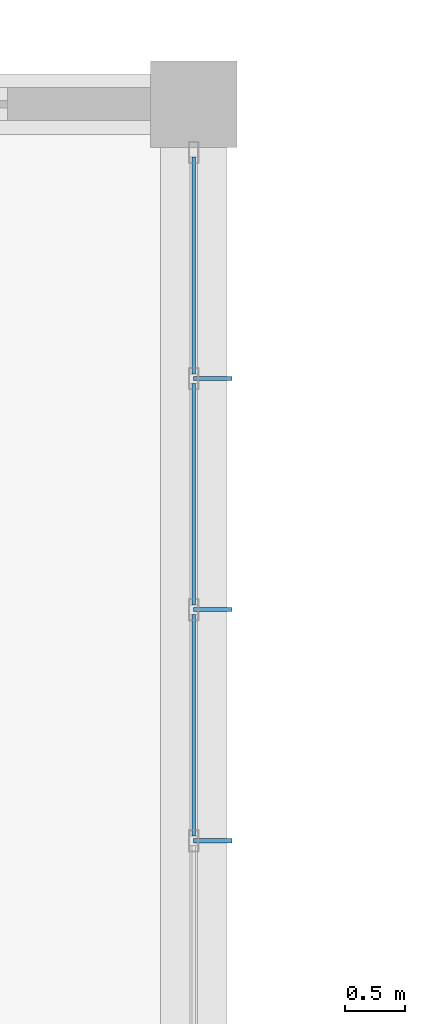
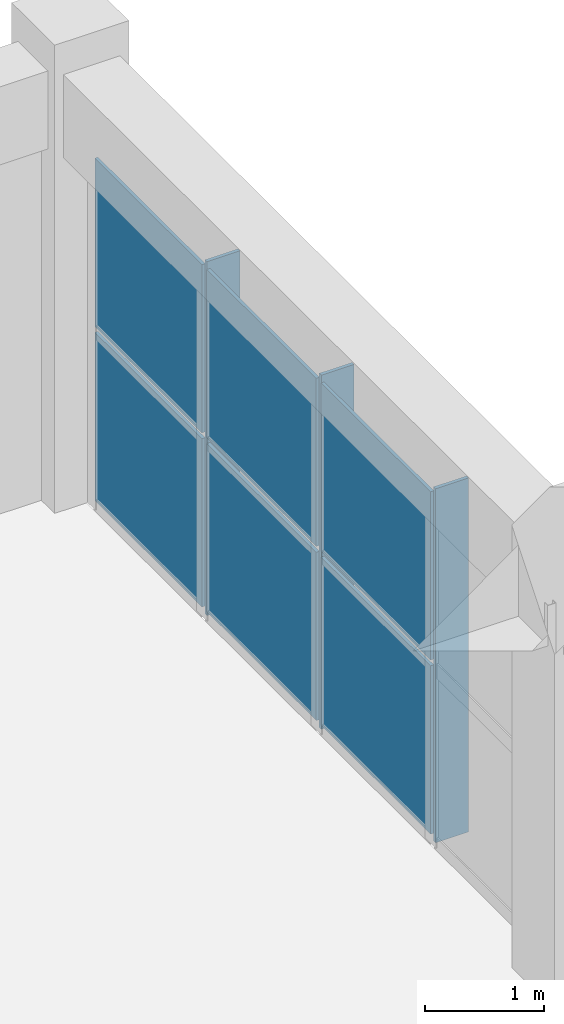
# One storey, part 120 of 139: 9 plates, 1 element without a shape of its own.
"""IFC4 building model written with IfcOpenShell, lengths in metres."""

import ifcopenshell
import ifcopenshell.guid

model = None  # the IFC model being written
_history = None  # IfcOwnerHistory: only IFC2X3 demands one
_inside = {}  # id of a spatial element -> (the spatial element, [elements in it])
_under = {}  # id of a project, library or spatial element -> (it, [spatial elements below it])
_declared = {}  # id of a project -> (the project, [libraries it declares])
_typed = {}  # id of a type object -> (the type object, [elements of that type])
_made_of = {}  # id of a material, layer set ... -> (it, [elements and type objects made of it])


def new_model(schema):
    """Start an empty IFC model of exactly this schema.

    Asked for "IFC4X3", IfcOpenShell would pick the latest addendum, in which some entities
    have other attributes; the version numbers below select the first issue.
    IFC2X3 requires an IfcOwnerHistory on every rooted entity: one is made here for all.
    """
    global model, _history
    if schema == "IFC4X3":
        model = ifcopenshell.file(schema_version=(4, 3, 0, 0))
    else:
        model = ifcopenshell.file(schema=schema)
    _inside.clear()
    _under.clear()
    _declared.clear()
    _typed.clear()
    _made_of.clear()
    _history = None
    if model.schema == "IFC2X3":
        org = make("IfcOrganization", Name="unknown")
        user = make(
            "IfcPersonAndOrganization",
            ThePerson=make("IfcPerson", FamilyName="unknown"),
            TheOrganization=org,
        )
        app = make(
            "IfcApplication",
            ApplicationDeveloper=org,
            Version="unknown",
            ApplicationFullName="unknown",
            ApplicationIdentifier="unknown",
        )
        _history = make(
            "IfcOwnerHistory",
            OwningUser=user,
            OwningApplication=app,
            ChangeAction="ADDED",
            CreationDate=0,
        )
    return model


def make(cls, **values):
    """One entity of the class cls with the attributes given. An attribute that is None is left unset."""
    return model.create_entity(
        cls, **{name: value for name, value in values.items() if value is not None}
    )


def rooted(cls, **values):
    """An entity with a GlobalId (a new one), such as an element, a storey or a relation."""
    return make(cls, GlobalId=ifcopenshell.guid.new(), OwnerHistory=_history, **values)


def si_unit(unit_type, name, prefix=None):
    """IfcSIUnit, for example si_unit("LENGTHUNIT", "METRE", prefix="MILLI")."""
    return make("IfcSIUnit", UnitType=unit_type, Prefix=prefix, Name=name)


def assignment(units):
    """IfcUnitAssignment: the units of a project."""
    return None if units is None else make("IfcUnitAssignment", Units=units)


def point(xyz):
    """IfcCartesianPoint."""
    return None if xyz is None else make("IfcCartesianPoint", Coordinates=xyz)


def direction(xyz):
    """IfcDirection."""
    return None if xyz is None else make("IfcDirection", DirectionRatios=xyz)


def frame(location, z_axis=None, x_axis=None):
    """IfcAxis2Placement3D, a coordinate frame: its origin and axes. An axis left out is left unset."""
    return make(
        "IfcAxis2Placement3D",
        Location=point(location),
        Axis=direction(z_axis),
        RefDirection=direction(x_axis),
    )


def frame_2d(location, x_axis=None):
    """IfcAxis2Placement2D, a coordinate frame in the plane: its origin and x axis."""
    return make(
        "IfcAxis2Placement2D", Location=point(location), RefDirection=direction(x_axis)
    )


def origin():
    """The frame at (0, 0, 0) with its axes left unset."""
    return frame((0.0, 0.0, 0.0))


def origin_2d():
    """The frame at (0, 0) in the plane with its x axis left unset."""
    return frame_2d((0.0, 0.0))


def place(relative_to, where):
    """IfcLocalPlacement: puts the frame where relative to a parent placement (None: the world)."""
    return make(
        "IfcLocalPlacement", PlacementRelTo=relative_to, RelativePlacement=where
    )


def context(
    kind, dimensions, precision=None, world=None, true_north=None, identifier=None
):
    """IfcGeometricRepresentationContext, for example the 3D "Model" context."""
    return make(
        "IfcGeometricRepresentationContext",
        ContextIdentifier=identifier,
        ContextType=kind,
        CoordinateSpaceDimension=dimensions,
        Precision=precision,
        WorldCoordinateSystem=world,
        TrueNorth=true_north,
    )


def subcontext(parent, identifier, kind, view, scale=None):
    """IfcGeometricRepresentationSubContext, for example "Body" below "Model"."""
    return make(
        "IfcGeometricRepresentationSubContext",
        ContextIdentifier=identifier,
        ContextType=kind,
        ParentContext=parent,
        TargetScale=scale,
        TargetView=view,
    )


def project(units=None, contexts=None):
    """IfcProject with its units and contexts."""
    return rooted(
        "IfcProject",
        Name="project",
        RepresentationContexts=contexts,
        UnitsInContext=assignment(units),
    )


def spatial(cls, under=None, at=None, **own):
    """A site, building, storey or space (cls), placed at a placement, below another one or the project."""
    s = rooted(cls, ObjectPlacement=at, **own)
    if under is not None:
        _under.setdefault(under.id(), (under, []))[1].append(s)
    return s


def polyline(points):
    """IfcPolyline through the points."""
    return make("IfcPolyline", Points=[point(p) for p in points])


def profile(cls, at=None, kind="AREA", **sizes):
    """A parametric profile (cls). Its sizes go by their IFC names, for example OverallWidth=200.0."""
    return make(cls, ProfileType=kind, Position=at, **sizes)


def rectangle(**sizes):
    """IfcRectangleProfileDef."""
    return profile("IfcRectangleProfileDef", **sizes)


def outline(outer, holes=None, kind="AREA"):
    """IfcArbitraryClosedProfileDef: a profile drawn as a closed curve; with holes, ...WithVoids."""
    if holes is None:
        return make("IfcArbitraryClosedProfileDef", ProfileType=kind, OuterCurve=outer)
    return make(
        "IfcArbitraryProfileDefWithVoids",
        ProfileType=kind,
        OuterCurve=outer,
        InnerCurves=holes,
    )


def extrude(swept, where, along, depth):
    """IfcExtrudedAreaSolid: the profile swept, set in the frame where, extruded along a direction by depth."""
    return make(
        "IfcExtrudedAreaSolid",
        SweptArea=swept,
        Position=where,
        ExtrudedDirection=direction(along),
        Depth=depth,
    )


def shape(context_of_items, identifier, shape_type, items):
    """IfcShapeRepresentation: the items that make up one representation, for example the "Body"."""
    return make(
        "IfcShapeRepresentation",
        ContextOfItems=context_of_items,
        RepresentationIdentifier=identifier,
        RepresentationType=shape_type,
        Items=items,
    )


def material(Name=None, Category=None):
    """IfcMaterial."""
    return make("IfcMaterial", Name=Name, Category=Category)


def layer(
    of_material, thickness, ventilated=None, Name=None, Category=None, Priority=None
):
    """IfcMaterialLayer: one layer of a wall or slab, of a material (None: an air gap)."""
    return make(
        "IfcMaterialLayer",
        Material=of_material,
        LayerThickness=thickness,
        IsVentilated=ventilated,
        Name=Name,
        Category=Category,
        Priority=Priority,
    )


def layer_set(layers, Name=None):
    """IfcMaterialLayerSet."""
    return make("IfcMaterialLayerSet", MaterialLayers=layers, LayerSetName=Name)


def made_of(thing, what):
    """Note that an element or type object is made of a material, layer set ...; save() writes the relation."""
    if what is not None:
        _made_of.setdefault(what.id(), (what, []))[1].append(thing)
    return thing


def type_object(cls, material=None, **own):
    """A type object (cls), such as IfcWallType, which elements share."""
    return made_of(rooted(cls, **own), material)


def element(
    cls,
    number,
    at=None,
    inside=None,
    cuts=None,
    type_object=None,
    material=None,
    context=None,
    identifier="Body",
    shape_type=None,
    held_by="IfcProductDefinitionShape",
    body=None,
    shapes=None,
    **own,
):
    """One element of the class cls, such as IfcWall. Its Tag is "e" and its number.

    at: its placement. inside: the storey or other place that contains it. cuts: it is an
    opening in that element (IfcRelVoidsElement). A single representation is given by context,
    identifier, shape_type and body (its items); several are given by shapes. held_by: the class
    of the entity that holds the representations. save() writes the other relations.
    """
    e = rooted(cls, Tag="e%d" % number, ObjectPlacement=at, **own)
    if body is not None:
        shapes = [shape(context, identifier, shape_type, body)]
    if shapes is not None:
        e.Representation = make(held_by, Representations=shapes)
    if inside is not None:
        _inside.setdefault(inside.id(), (inside, []))[1].append(e)
    if cuts is not None:
        rooted(
            "IfcRelVoidsElement", RelatingBuildingElement=cuts, RelatedOpeningElement=e
        )
    if type_object is not None:
        _typed.setdefault(type_object.id(), (type_object, []))[1].append(e)
    return made_of(e, material)


def aggregate(whole, parts):
    """IfcRelAggregates: a whole, such as a stair, and the parts it consists of."""
    return rooted("IfcRelAggregates", RelatingObject=whole, RelatedObjects=parts)


def save(model, path):
    """Write the relations noted so far, then the file.

    IfcRelAggregates (storeys below a building ...), IfcRelContainedInSpatialStructure (elements
    in a storey), IfcRelDefinesByType, IfcRelAssociatesMaterial and IfcRelDeclares: one each for
    every whole, place, type object, material and project.
    """
    for whole, parts in _under.values():
        aggregate(whole, parts)
    for where, things in _inside.values():
        rooted(
            "IfcRelContainedInSpatialStructure",
            RelatedElements=things,
            RelatingStructure=where,
        )
    for kind, things in _typed.values():
        rooted("IfcRelDefinesByType", RelatedObjects=things, RelatingType=kind)
    for what, things in _made_of.values():
        rooted("IfcRelAssociatesMaterial", RelatedObjects=things, RelatingMaterial=what)
    for by, libraries in _declared.values():
        rooted("IfcRelDeclares", RelatingContext=by, RelatedDefinitions=libraries)
    model.write(path)


model = new_model("IFC4")

# Units and contexts
model_context = context("Model", 3, precision=1e-05, world=origin(), true_north=direction((0.0, 1.0)))
body_context = subcontext(model_context, "Body", "Model", "MODEL_VIEW")
ifc_project = project(units=[si_unit("LENGTHUNIT", "METRE"), si_unit("AREAUNIT", "SQUARE_METRE"), si_unit("VOLUMEUNIT", "CUBIC_METRE"), si_unit("PLANEANGLEUNIT", "RADIAN"), si_unit("MASSUNIT", "GRAM", prefix="KILO")], contexts=[model_context])

# Site, building, storey
site_placement = place(None, origin())
site = spatial("IfcSite", under=ifc_project, at=site_placement, CompositionType="ELEMENT")
building_placement = place(site_placement, origin())
building = spatial("IfcBuilding", under=site, at=building_placement, Name="Zizhar Promenade General Hospital", CompositionType="ELEMENT")
storey_placement = place(building_placement, origin())
storey = spatial("IfcBuildingStorey", under=building, at=storey_placement, Name="L00", CompositionType="ELEMENT", Elevation=0.0)

# Curtain wall, plates
ifc_material_1 = material(Name="Anodised aluminium 6063-T6 and low-E glass", Category="aluminium")
ifc_layer_1 = layer(ifc_material_1, 0.159912109375)
ifc_layer_set_1 = layer_set([ifc_layer_1], Name="Anodised aluminium 6063-T6 and low-E glass")
curtain_wall_type = type_object("IfcCurtainWallType", Name="CW-DT-MOD1", PredefinedType="NOTDEFINED", material=ifc_layer_set_1)
curtain_wall_placement = place(storey_placement, origin())
curtain_wall = element("IfcCurtainWall", 1, at=curtain_wall_placement, inside=storey, type_object=curtain_wall_type, Name="Surgical East Glazed Curtain Wall L00-15", PredefinedType="NOTDEFINED")
ifc_material_2 = material(Name="Low-E solar-control glass", Category="glass")
ifc_layer_2 = layer(ifc_material_2, 0.031982421875)
ifc_layer_set_2 = layer_set([ifc_layer_2], Name="Low-E solar-control glass")
plate_type_1 = type_object("IfcPlateType", Name="CWP-GLZ-32", PredefinedType="CURTAIN_PANEL", material=ifc_layer_set_2)
plate_1_placement = place(storey_placement, frame((132.60009765625, 133.06005859375, 0.06005859375), z_axis=(0.0, 0.0, 1.0), x_axis=(0.0, -1.0, 0.0)))
plate_1 = element("IfcPlate", 2, at=plate_1_placement, type_object=plate_type_1, Name="CW-07 panel 1.1", PredefinedType="CURTAIN_PANEL", context=body_context, shape_type="SweptSolid", body=[
    extrude(rectangle(XDim=1.800048828125, YDim=0.031982421875, at=origin_2d()), origin(), (0.0, 0.0, 1.0), 1.72509765625),
])
plate_2_placement = place(storey_placement, frame((132.60009765625, 133.06005859375, 1.844970703125), z_axis=(0.0, 0.0, 1.0), x_axis=(0.0, -1.0, 0.0)))
plate_2 = element("IfcPlate", 3, at=plate_2_placement, type_object=plate_type_1, Name="CW-07 panel 1.2", PredefinedType="CURTAIN_PANEL", context=body_context, shape_type="SweptSolid", body=[
    extrude(rectangle(XDim=1.800048828125, YDim=0.031982421875, at=origin_2d()), origin(), (0.0, 0.0, 1.0), 1.72509765625),
])
plate_3_placement = place(storey_placement, frame((132.60009765625, 131.159912109375, 0.06005859375), z_axis=(0.0, 0.0, 1.0), x_axis=(0.0, -1.0, 0.0)))
plate_3 = element("IfcPlate", 4, at=plate_3_placement, type_object=plate_type_1, Name="CW-07 panel 2.1", PredefinedType="CURTAIN_PANEL", context=body_context, shape_type="SweptSolid", body=[
    extrude(rectangle(XDim=1.840087890625, YDim=0.031982421875, at=origin_2d()), origin(), (0.0, 0.0, 1.0), 1.72509765625),
])
plate_4_placement = place(storey_placement, frame((132.60009765625, 131.159912109375, 1.844970703125), z_axis=(0.0, 0.0, 1.0), x_axis=(0.0, -1.0, 0.0)))
plate_4 = element("IfcPlate", 5, at=plate_4_placement, type_object=plate_type_1, Name="CW-07 panel 2.2", PredefinedType="CURTAIN_PANEL", context=body_context, shape_type="SweptSolid", body=[
    extrude(rectangle(XDim=1.840087890625, YDim=0.031982421875, at=origin_2d()), origin(), (0.0, 0.0, 1.0), 1.72509765625),
])
plate_5_placement = place(storey_placement, frame((132.60009765625, 129.239990234375, 0.06005859375), z_axis=(0.0, 0.0, 1.0), x_axis=(0.0, -1.0, 0.0)))
plate_5 = element("IfcPlate", 6, at=plate_5_placement, type_object=plate_type_1, Name="CW-07 panel 3.1", PredefinedType="CURTAIN_PANEL", context=body_context, shape_type="SweptSolid", body=[
    extrude(rectangle(XDim=1.840087890625, YDim=0.031982421875, at=origin_2d()), origin(), (0.0, 0.0, 1.0), 1.72509765625),
])
plate_6_placement = place(storey_placement, frame((132.60009765625, 129.239990234375, 1.844970703125), z_axis=(0.0, 0.0, 1.0), x_axis=(0.0, -1.0, 0.0)))
plate_6 = element("IfcPlate", 7, at=plate_6_placement, type_object=plate_type_1, Name="CW-07 panel 3.2", PredefinedType="CURTAIN_PANEL", context=body_context, shape_type="SweptSolid", body=[
    extrude(rectangle(XDim=1.840087890625, YDim=0.031982421875, at=origin_2d()), origin(), (0.0, 0.0, 1.0), 1.72509765625),
])
aggregate(curtain_wall, [plate_1, plate_2, plate_3, plate_4, plate_5, plate_6])

# Plates
ifc_material_3 = material(Name="Anodised aluminium 6063-T6", Category="aluminium")
ifc_layer_3 = layer(ifc_material_3, 0.033935546875)
ifc_layer_set_3 = layer_set([ifc_layer_3], Name="Anodised aluminium 6063-T6")
plate_type_2 = type_object("IfcPlateType", Name="FIN-ALU-320", PredefinedType="USERDEFINED", material=ifc_layer_set_3)
plate_7_placement = place(storey_placement, origin())
element("IfcPlate", 8, at=plate_7_placement, inside=storey, type_object=plate_type_2, Name="Surgical East Glazed Curtain Wall L00-15 Solar Fin 1", ObjectType="SOLAR_SHADE", PredefinedType="USERDEFINED", context=body_context, shape_type="SweptSolid", body=[
    extrude(outline(polyline([(132.60009765625, 132.136962890625), (132.60009765625, 132.10302734375), (132.919921875, 132.10302734375), (132.919921875, 132.136962890625), (132.60009765625, 132.136962890625)])), origin(), (0.0, 0.0, 1.0), 3.6298828125),
])
plate_8_placement = place(storey_placement, origin())
element("IfcPlate", 9, at=plate_8_placement, inside=storey, type_object=plate_type_2, Name="Surgical East Glazed Curtain Wall L00-15 Solar Fin 2", ObjectType="SOLAR_SHADE", PredefinedType="USERDEFINED", context=body_context, shape_type="SweptSolid", body=[
    extrude(outline(polyline([(132.60009765625, 130.217041015625), (132.60009765625, 130.18310546875), (132.919921875, 130.18310546875), (132.919921875, 130.217041015625), (132.60009765625, 130.217041015625)])), origin(), (0.0, 0.0, 1.0), 3.6298828125),
])
plate_9_placement = place(storey_placement, origin())
element("IfcPlate", 10, at=plate_9_placement, inside=storey, type_object=plate_type_2, Name="Surgical East Glazed Curtain Wall L00-15 Solar Fin 3", ObjectType="SOLAR_SHADE", PredefinedType="USERDEFINED", context=body_context, shape_type="SweptSolid", body=[
    extrude(outline(polyline([(132.60009765625, 128.297119140625), (132.60009765625, 128.262939453125), (132.919921875, 128.262939453125), (132.919921875, 128.297119140625), (132.60009765625, 128.297119140625)])), origin(), (0.0, 0.0, 1.0), 3.6298828125),
])

save(model, "model.ifc")
